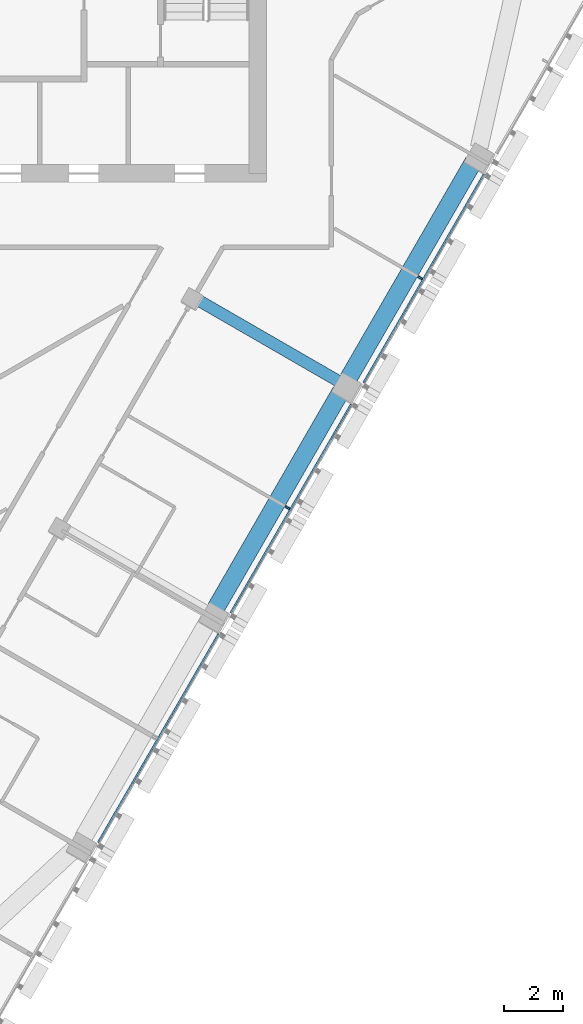
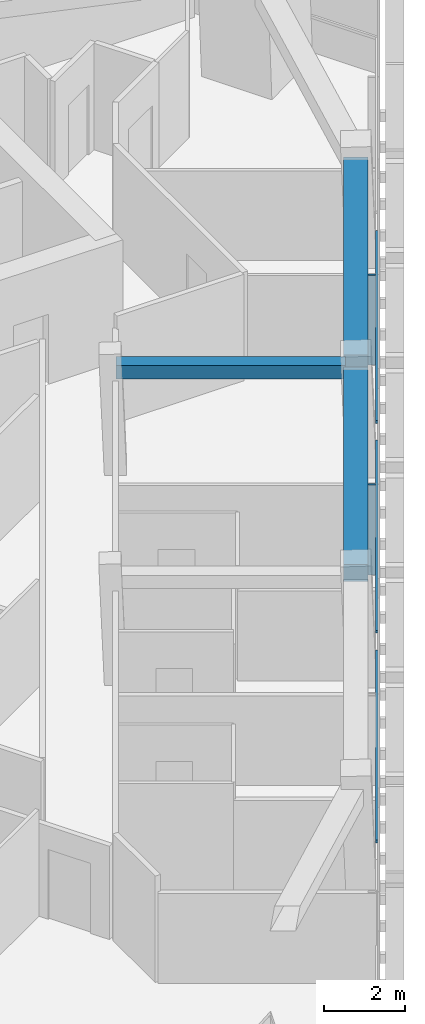
# One storey, part 4 of 14: 5 members, 3 beams, 1 element without a shape of its own.
"""IFC4 building model written with IfcOpenShell, lengths in metres."""

from ifc_helpers import new_model, si_unit, direction, frame, origin, origin_2d, place, context, subcontext, project, spatial, rectangle, extrude, material, layer, layer_set, material_profile, profile_set, type_object, element, aggregate, save


model = new_model("IFC4")

# Units and contexts
model_context = context("Model", 3, precision=1e-05, world=origin(), true_north=direction((0.0, 1.0)))
body_context = subcontext(model_context, "Body", "Model", "MODEL_VIEW")
ifc_project = project(units=[si_unit("LENGTHUNIT", "METRE"), si_unit("AREAUNIT", "SQUARE_METRE"), si_unit("VOLUMEUNIT", "CUBIC_METRE"), si_unit("PLANEANGLEUNIT", "RADIAN"), si_unit("MASSUNIT", "GRAM", prefix="KILO")], contexts=[model_context])

# Site, building, storey
site_placement = place(None, origin())
site = spatial("IfcSite", under=ifc_project, at=site_placement, CompositionType="ELEMENT")
building_placement = place(site_placement, origin())
building = spatial("IfcBuilding", under=site, at=building_placement, Name="Altiplano Prism Tower", CompositionType="ELEMENT")
storey_placement = place(building_placement, frame((0.0, 0.0, 239.199951171875)))
storey = spatial("IfcBuildingStorey", under=building, at=storey_placement, Name="L61", CompositionType="ELEMENT", Elevation=239.199951171875)

# Curtain wall, members
ifc_material_1 = material(Name="Aluminium and glass", Category="aluminium")
ifc_layer = layer(ifc_material_1, 0.280029296875)
ifc_layer_set = layer_set([ifc_layer], Name="Aluminium and glass")
curtain_wall_type = type_object("IfcCurtainWallType", Name="CW1 typical co-living unitised curtain wall", PredefinedType="NOTDEFINED", material=ifc_layer_set)
curtain_wall_placement = place(storey_placement, origin())
curtain_wall = element("IfcCurtainWall", 1, at=curtain_wall_placement, inside=storey, type_object=curtain_wall_type, Name="CW1 curtain wall south-east face L61", PredefinedType="NOTDEFINED")
ifc_material_2 = material(Name="Aluminium", Category="aluminium")
ifc_material_profile_1 = material_profile(ifc_material_2, rectangle(XDim=0.179931640625, YDim=0.06494140625, at=origin_2d()), Name="CW1 mullion 65 x 180")
ifc_profile_set_1 = profile_set([ifc_material_profile_1], Name="Aluminium")
member_type_1 = type_object("IfcMemberType", Name="CW1 mullion 65 x 180", PredefinedType="MULLION", material=ifc_profile_set_1)
member_1_placement = place(storey_placement, frame((98.30712890625, 81.761474609375, 0.0), z_axis=(0.0, 0.0, 1.0), x_axis=(-0.866025402772, 0.500000001753, 0.0)))
member_1 = element("IfcMember", 2, at=member_1_placement, type_object=member_type_1, Name="CW1 mullion", PredefinedType="MULLION", context=body_context, shape_type="SweptSolid", body=[
    extrude(rectangle(XDim=0.179931640625, YDim=0.06494140625, at=origin_2d()), origin(), (0.0, 0.0, 1.0), 2.699951171875),
])
member_2_placement = place(storey_placement, frame((102.80712890625, 89.5556640625, 0.0), z_axis=(0.0, 0.0, 1.0), x_axis=(-0.866025402772, 0.500000001753, 0.0)))
member_2 = element("IfcMember", 3, at=member_2_placement, type_object=member_type_1, Name="CW1 mullion", PredefinedType="MULLION", context=body_context, shape_type="SweptSolid", body=[
    extrude(rectangle(XDim=0.179931640625, YDim=0.06494140625, at=origin_2d()), origin(), (0.0, 0.0, 1.0), 2.699951171875),
])
ifc_material_profile_2 = material_profile(ifc_material_2, rectangle(XDim=0.06005859375, YDim=0.080078125, at=origin_2d()), Name="CW1 transom 80 x 60")
ifc_profile_set_2 = profile_set([ifc_material_profile_2], Name="Aluminium")
member_type_2 = type_object("IfcMemberType", Name="CW1 transom 80 x 60", PredefinedType="USERDEFINED", material=ifc_profile_set_2)
member_3_placement = place(storey_placement, frame((91.88818359375, 70.40380859375, 1.10009765625), z_axis=(0.499995783154, 0.866027838368, 0.0), x_axis=(-0.866027838368, 0.499995783154, 0.0)))
member_3 = element("IfcMember", 4, at=member_3_placement, type_object=member_type_2, Name="CW1 transom", ObjectType="TRANSOM", PredefinedType="USERDEFINED", context=body_context, shape_type="SweptSolid", body=[
    extrude(rectangle(XDim=0.06005859375, YDim=0.080078125, at=origin_2d()), origin(), (0.0, 0.0, 1.0), 8.169921875),
])
member_4_placement = place(storey_placement, frame((96.38818359375, 78.197998046875, 1.10009765625), z_axis=(0.499995783154, 0.866027838368, 0.0), x_axis=(-0.866027838368, 0.499995783154, 0.0)))
member_4 = element("IfcMember", 5, at=member_4_placement, type_object=member_type_2, Name="CW1 transom", ObjectType="TRANSOM", PredefinedType="USERDEFINED", context=body_context, shape_type="SweptSolid", body=[
    extrude(rectangle(XDim=0.06005859375, YDim=0.080078125, at=origin_2d()), origin(), (0.0, 0.0, 1.0), 8.169921875),
])
member_5_placement = place(storey_placement, frame((100.88818359375, 85.9921875, 1.10009765625), z_axis=(0.499995783154, 0.866027838368, 0.0), x_axis=(-0.866027838368, 0.499995783154, 0.0)))
member_5 = element("IfcMember", 6, at=member_5_placement, type_object=member_type_2, Name="CW1 transom", ObjectType="TRANSOM", PredefinedType="USERDEFINED", context=body_context, shape_type="SweptSolid", body=[
    extrude(rectangle(XDim=0.06005859375, YDim=0.080078125, at=origin_2d()), origin(), (0.0, 0.0, 1.0), 8.169921875),
])
aggregate(curtain_wall, [member_3, member_1, member_4, member_2, member_5])

# Beams
ifc_material_3 = material(Name="Concrete C60/75", Category="concrete")
ifc_material_profile_3 = material_profile(ifc_material_3, rectangle(XDim=0.60009765625, YDim=0.5, at=origin_2d()), Name="Edge beam 600x500")
ifc_profile_set_3 = profile_set([ifc_material_profile_3], Name="Concrete C60/75")
beam_type_1 = type_object("IfcBeamType", Name="Edge beam 600x500", PredefinedType="SPANDREL", material=ifc_profile_set_3)
for number, where, z_axis, x_axis, name in (
    (7, (95.87939453125, 78.353759765625, 2.949951171875), (0.49998963237, 0.866031389456, 0.0), (-0.866031389456, 0.49998963237, 0.0), "Edge beam P22-P23 L62"),
    (8, (100.37939453125, 86.14794921875, 2.949951171875), (0.49998963237, 0.866031389456, 0.0), (-0.866031389456, 0.49998963237, 0.0), "Edge beam P23-P24 L62"),
):
    element("IfcBeam", number, at=place(storey_placement, frame(where, z_axis=z_axis, x_axis=x_axis)), inside=storey, type_object=beam_type_1, Name=name, PredefinedType="SPANDREL", context=body_context, shape_type="SweptSolid", body=[
        extrude(rectangle(XDim=0.60009765625, YDim=0.5, at=origin_2d()), origin(), (0.0, 0.0, 1.0), 8.489990234375),
    ])
ifc_material_profile_4 = material_profile(ifc_material_3, rectangle(XDim=0.39990234375, YDim=0.39990234375, at=origin_2d()), Name="Tie beam 400x400")
ifc_profile_set_4 = profile_set([ifc_material_profile_4], Name="Concrete C60/75")
beam_type_2 = type_object("IfcBeamType", Name="Tie beam 400x400", PredefinedType="BEAM", material=ifc_profile_set_4)
beam_placement = place(storey_placement, frame((95.146728515625, 88.874755859375, 3.0), z_axis=(0.866015459562, -0.500017223503, 0.0), x_axis=(0.500017223503, 0.866015459562, 0.0)))
element("IfcBeam", 9, at=beam_placement, inside=storey, type_object=beam_type_2, Name="Tie beam I23 L62", PredefinedType="BEAM", context=body_context, shape_type="SweptSolid", body=[
    extrude(rectangle(XDim=0.39990234375, YDim=0.39990234375, at=origin_2d()), origin(), (0.0, 0.0, 1.0), 5.639892578125),
])

save(model, "model.ifc")
